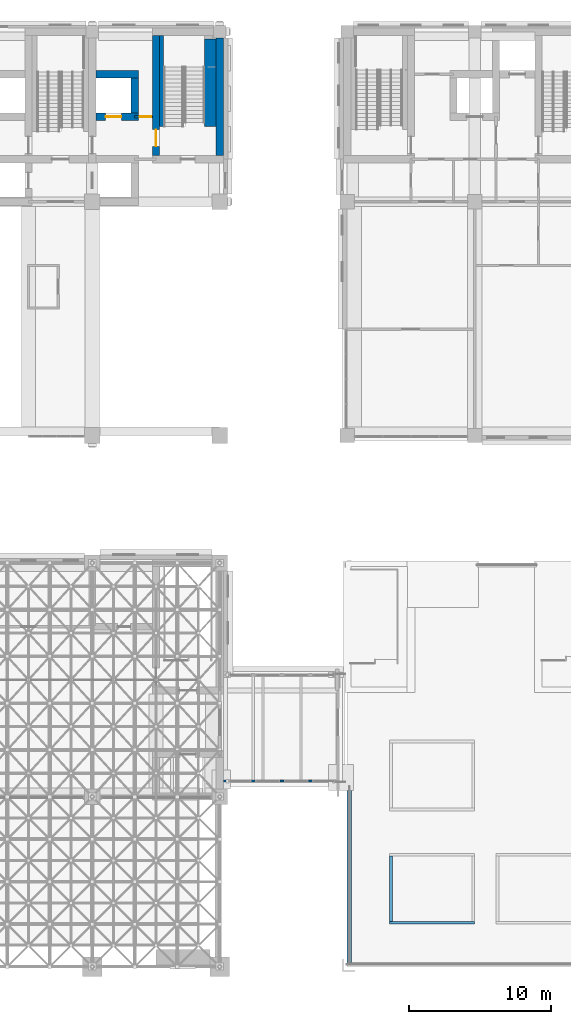
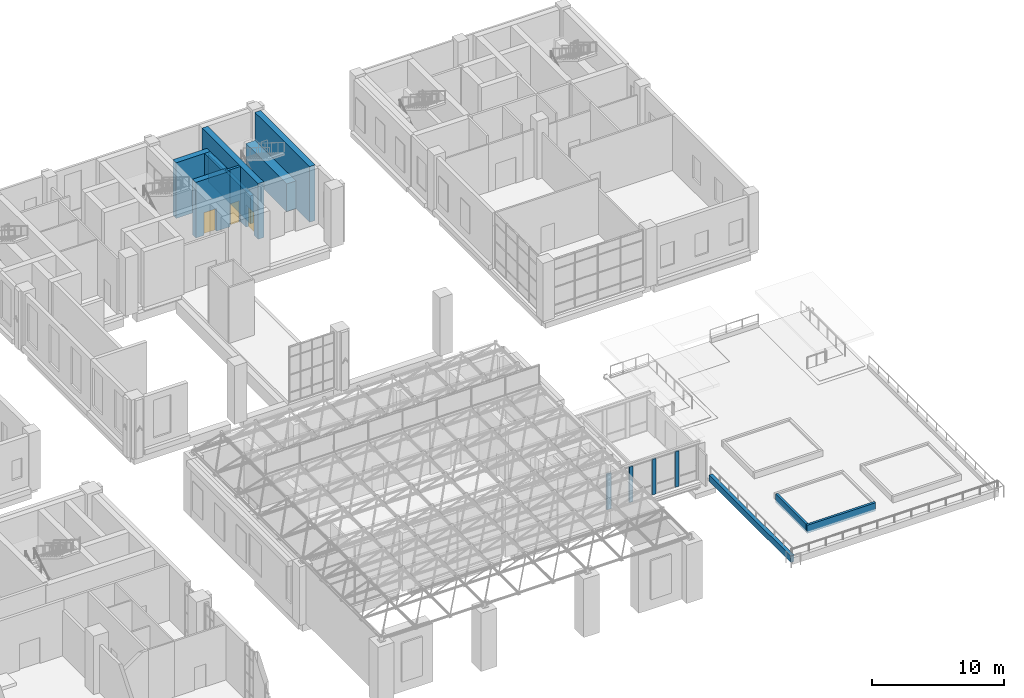
# One storey, part 32 of 53: 15 walls, 3 doors, 3 openings.
"""IFC4 building model written with IfcOpenShell, lengths in metres."""

from ifc_helpers import new_model, si_unit, direction, frame, frame_2d, origin, place, context, subcontext, project, spatial, rectangle, extrude, material, layer, layer_set, type_object, element, fill, save


model = new_model("IFC4")

# Units and contexts
model_context = context("Model", 3, precision=1e-05, world=origin(), true_north=direction((0.0, 1.0)))
body_context = subcontext(model_context, "Body", "Model", "MODEL_VIEW")
ifc_project = project(units=[si_unit("LENGTHUNIT", "METRE"), si_unit("AREAUNIT", "SQUARE_METRE"), si_unit("VOLUMEUNIT", "CUBIC_METRE"), si_unit("PLANEANGLEUNIT", "RADIAN"), si_unit("MASSUNIT", "GRAM", prefix="KILO")], contexts=[model_context])

# Site, building, storey
site_placement = place(None, origin())
site = spatial("IfcSite", under=ifc_project, at=site_placement, CompositionType="ELEMENT")
building_placement = place(site_placement, origin())
building = spatial("IfcBuilding", under=site, at=building_placement, Name="Aurelan Courthouse", CompositionType="ELEMENT")
storey_placement = place(building_placement, frame((0.0, 0.0, 12.0)))
storey = spatial("IfcBuildingStorey", under=building, at=storey_placement, Name="L02", CompositionType="ELEMENT", Elevation=12.0)

# Walls
ifc_material_1 = material(Name="Limestone cladding", Category="masonry")
ifc_layer_1 = layer(ifc_material_1, 0.300048828125)
ifc_layer_set_1 = layer_set([ifc_layer_1], Name="Limestone cladding")
wall_type_1 = type_object("IfcWallType", Name="Garden upstand 300 x 600", PredefinedType="PARAPET", material=ifc_layer_set_1)
wall_1_placement = place(storey_placement, frame((72.14990234375, 0.300048828125, -0.197998046875), z_axis=(0.0, 0.0, 1.0), x_axis=(0.0, 1.0, 0.0)))
element("IfcWall", 1, at=wall_1_placement, inside=storey, type_object=wall_type_1, Name="Garden upstand RG-PA03", PredefinedType="PARAPET", context=body_context, shape_type="SweptSolid", body=[
    extrude(rectangle(XDim=12.39990234375, YDim=0.300048828125, at=frame_2d((6.199951171875, 0.0))), origin(), (0.0, 0.0, 1.0), 0.60009765625),
])
ifc_material_2 = material(Name="Concrete C40", Category="concrete")
ifc_layer_2 = layer(ifc_material_2, 0.14990234375)
ifc_layer_set_2 = layer_set([ifc_layer_2], Name="Concrete C40")
wall_type_2 = type_object("IfcWallType", Name="Passage end pier 150 x 400 x 3300", PredefinedType="SOLIDWALL", material=ifc_layer_set_2)
wall_2_placement = place(storey_placement, frame((63.25, 13.10009765625, 0.0), z_axis=(0.0, 0.0, 1.0), x_axis=(1.0, 0.0, 0.0)))
element("IfcWall", 2, at=wall_2_placement, inside=storey, type_object=wall_type_2, Name="Passage pier BR2-P01", PredefinedType="SOLIDWALL", context=body_context, shape_type="SweptSolid", body=[
    extrude(rectangle(XDim=0.39990234375, YDim=0.14990234375, at=frame_2d((0.199951171875, 0.0))), origin(), (0.0, 0.0, 1.0), 3.300048828125),
])
ifc_layer_3 = layer(ifc_material_2, 0.14990234375)
ifc_layer_set_3 = layer_set([ifc_layer_3], Name="Concrete C40")
wall_type_3 = type_object("IfcWallType", Name="Passage pier 150 x 300 x 3300", PredefinedType="SOLIDWALL", material=ifc_layer_set_3)
for number, where, z_axis, x_axis, name in (
    (3, (65.219970703125, 13.10009765625, 0.0), (0.0, 0.0, 1.0), (1.0, 0.0, 0.0), "Passage pier BR2-P02"),
    (4, (67.239990234375, 13.10009765625, 0.0), (0.0, 0.0, 1.0), (1.0, 0.0, 0.0), "Passage pier BR2-P03"),
    (5, (69.260009765625, 13.10009765625, 0.0), (0.0, 0.0, 1.0), (1.0, 0.0, 0.0), "Passage pier BR2-P04"),
):
    element("IfcWall", number, at=place(storey_placement, frame(where, z_axis=z_axis, x_axis=x_axis)), inside=storey, type_object=wall_type_3, Name=name, PredefinedType="SOLIDWALL", context=body_context, shape_type="SweptSolid", body=[
        extrude(rectangle(XDim=0.300048828125, YDim=0.14990234375, at=frame_2d((0.14990234375, 0.0))), origin(), (0.0, 0.0, 1.0), 3.300048828125),
    ])
ifc_layer_4 = layer(ifc_material_1, 0.199951171875)
ifc_layer_set_4 = layer_set([ifc_layer_4], Name="Limestone cladding")
wall_type_4 = type_object("IfcWallType", Name="Planter wall 200 x 600", PredefinedType="SOLIDWALL", material=ifc_layer_set_4)
wall_3_placement = place(storey_placement, frame((75.0, 3.10009765625, -0.197998046875), z_axis=(0.0, 0.0, 1.0), x_axis=(1.0, 0.0, 0.0)))
element("IfcWall", 6, at=wall_3_placement, inside=storey, type_object=wall_type_4, Name="Planter wall PL-1-S", PredefinedType="SOLIDWALL", context=body_context, shape_type="SweptSolid", body=[
    extrude(rectangle(XDim=6.0, YDim=0.199951171875, at=frame_2d((3.0, 0.0))), origin(), (0.0, 0.0, 1.0), 0.758056640625),
])
wall_4_placement = place(storey_placement, frame((75.10009765625, 3.199951171875, -0.197998046875), z_axis=(0.0, 0.0, 1.0), x_axis=(0.0, 1.0, 0.0)))
element("IfcWall", 7, at=wall_4_placement, inside=storey, type_object=wall_type_4, Name="Planter wall PL-1-W", PredefinedType="SOLIDWALL", context=body_context, shape_type="SweptSolid", body=[
    extrude(rectangle(XDim=4.60009765625, YDim=0.199951171875, at=frame_2d((2.300048828125, 0.0))), origin(), (0.0, 0.0, 1.0), 0.758056640625),
])

# Wall, opening, door
ifc_material_3 = material(Name="Concrete C50", Category="concrete")
ifc_layer_5 = layer(ifc_material_3, 0.5)
ifc_layer_set_5 = layer_set([ifc_layer_5], Name="Concrete C50")
wall_type_5 = type_object("IfcWallType", Name="RC shear wall 500", PredefinedType="SHEAR", material=ifc_layer_set_5)
wall_5_placement = place(storey_placement, frame((58.5, 57.25, 0.0), z_axis=(0.0, 0.0, 1.0), x_axis=(0.0, 1.0, 0.0)))
wall_5 = element("IfcWall", 8, at=wall_5_placement, inside=storey, type_object=wall_type_5, Name="Core wall SW-L02-051", PredefinedType="SHEAR", context=body_context, shape_type="SweptSolid", body=[
    extrude(rectangle(XDim=8.5, YDim=0.5, at=frame_2d((4.25, 0.0))), origin(), (0.0, 0.0, 1.0), 5.14990234375),
])
opening_1_placement = place(wall_5_placement, frame((1.849853515625, 0.0, 0.0), z_axis=(0.0, 0.0, 1.0), x_axis=(-1.0, 0.0, 0.0)))
opening_1 = element("IfcOpeningElement", 9, at=opening_1_placement, cuts=wall_5, Name="Opening D-L02-017", PredefinedType="OPENING", context=body_context, shape_type="SweptSolid", body=[
    extrude(rectangle(XDim=1.199951171875, YDim=2.10009765625, at=frame_2d((0.60009765625, 1.050048828125))), frame((0.0, 0.260009765625, 0.0), z_axis=(0.0, -1.0, 0.0), x_axis=(1.0, 0.0, 0.0)), (0.0, 0.0, 1.0), 0.52001953125),
])
ifc_material_4 = material(Name="Steel", Category="steel")
door_type_1 = type_object("IfcDoorType", Name="Single door 1200 x 2100 FD90", OperationType="SINGLE_SWING_LEFT", PredefinedType="DOOR", material=ifc_material_4)
door_1_placement = place(opening_1_placement, origin())
door_1 = element("IfcDoor", 10, at=door_1_placement, inside=storey, type_object=door_type_1, Name="Single door D-L02-017", OperationType="SINGLE_SWING_RIGHT", OverallHeight=2.10009765625, OverallWidth=1.199951171875, PredefinedType="DOOR", context=body_context, shape_type="SweptSolid", body=[
    extrude(rectangle(XDim=1.199951171875, YDim=2.10009765625, at=frame_2d((0.60009765625, 1.050048828125))), frame((0.0, 0.02490234375, 0.0), z_axis=(0.0, -1.0, 0.0), x_axis=(1.0, 0.0, 0.0)), (0.0, 0.0, 1.0), 0.050048828125),
])
fill(opening_1, door_1)

# Wall
wall_6_placement = place(storey_placement, frame((63.0, 57.25, 0.0), z_axis=(0.0, 0.0, 1.0), x_axis=(0.0, 1.0, 0.0)))
element("IfcWall", 11, at=wall_6_placement, inside=storey, type_object=wall_type_5, Name="Core wall SW-L02-052", PredefinedType="SHEAR", context=body_context, shape_type="SweptSolid", body=[
    extrude(rectangle(XDim=8.300048828125, YDim=0.5, at=frame_2d((4.14990234375, 0.0))), origin(), (0.0, 0.0, 1.0), 5.14990234375),
])

# Wall, opening, door
wall_7_placement = place(storey_placement, frame((54.25, 60.0, 0.0), z_axis=(0.0, 0.0, 1.0), x_axis=(1.0, 0.0, 0.0)))
wall_7 = element("IfcWall", 12, at=wall_7_placement, inside=storey, type_object=wall_type_5, Name="Core wall SW-L02-060", PredefinedType="SHEAR", context=body_context, shape_type="SweptSolid", body=[
    extrude(rectangle(XDim=3.0, YDim=0.5, at=frame_2d((1.5, 0.0))), origin(), (0.0, 0.0, 1.0), 5.14990234375),
])
opening_2_placement = place(wall_7_placement, frame((0.699951171875, 0.0, 0.0)))
opening_2 = element("IfcOpeningElement", 13, at=opening_2_placement, cuts=wall_7, Name="Opening LD-V2-F1-L02", PredefinedType="OPENING", context=body_context, shape_type="SweptSolid", body=[
    extrude(rectangle(XDim=1.10009765625, YDim=2.10009765625, at=frame_2d((0.550048828125, 1.050048828125))), frame((0.0, 0.260009765625, 0.0), z_axis=(0.0, -1.0, 0.0), x_axis=(1.0, 0.0, 0.0)), (0.0, 0.0, 1.0), 0.52001953125),
])
door_type_2 = type_object("IfcDoorType", Name="Lift landing door 1100 x 2100 FD90", OperationType="SLIDING_TO_LEFT", PredefinedType="DOOR", material=ifc_material_4)
door_2_placement = place(opening_2_placement, origin())
door_2 = element("IfcDoor", 14, at=door_2_placement, inside=storey, type_object=door_type_2, Name="Lift landing door LD-V2-F1-L02", OperationType="SLIDING_TO_LEFT", OverallHeight=2.10009765625, OverallWidth=1.10009765625, PredefinedType="DOOR", context=body_context, shape_type="SweptSolid", body=[
    extrude(rectangle(XDim=1.10009765625, YDim=2.10009765625, at=frame_2d((0.550048828125, 1.050048828125))), frame((0.0, 0.02490234375, 0.0), z_axis=(0.0, -1.0, 0.0), x_axis=(1.0, 0.0, 0.0)), (0.0, 0.0, 1.0), 0.050048828125),
])
fill(opening_2, door_2)

# Walls
wall_8_placement = place(storey_placement, frame((57.0, 60.25, 0.0), z_axis=(0.0, 0.0, 1.0), x_axis=(0.0, 1.0, 0.0)))
element("IfcWall", 15, at=wall_8_placement, inside=storey, type_object=wall_type_5, Name="Core wall SW-L02-065", PredefinedType="SHEAR", context=body_context, shape_type="SweptSolid", body=[
    extrude(rectangle(XDim=2.5, YDim=0.5, at=frame_2d((1.25, 0.0))), origin(), (0.0, 0.0, 1.0), 5.14990234375),
])
wall_9_placement = place(storey_placement, frame((54.25, 63.0, 0.0), z_axis=(0.0, 0.0, 1.0), x_axis=(1.0, 0.0, 0.0)))
element("IfcWall", 16, at=wall_9_placement, inside=storey, type_object=wall_type_5, Name="Core wall SW-L02-070", PredefinedType="SHEAR", context=body_context, shape_type="SweptSolid", body=[
    extrude(rectangle(XDim=3.0, YDim=0.5, at=frame_2d((1.5, 0.0))), origin(), (0.0, 0.0, 1.0), 5.14990234375),
])

# Wall, opening, door
ifc_material_5 = material(Name="Concrete C30", Category="concrete")
ifc_layer_6 = layer(ifc_material_5, 0.199951171875)
ifc_layer_set_6 = layer_set([ifc_layer_6], Name="Concrete C30")
wall_type_6 = type_object("IfcWallType", Name="Shaft wall 200 EI 120 load-bearing", PredefinedType="SHEAR", material=ifc_layer_set_6)
wall_10_placement = place(storey_placement, frame((57.0, 60.0, 0.0), z_axis=(0.0, 0.0, 1.0), x_axis=(1.0, 0.0, 0.0)))
wall_10 = element("IfcWall", 17, at=wall_10_placement, inside=storey, type_object=wall_type_6, Name="Shaft wall L02-047", PredefinedType="SHEAR", context=body_context, shape_type="SweptSolid", body=[
    extrude(rectangle(XDim=1.25, YDim=0.199951171875, at=frame_2d((0.625, 0.0))), origin(), (0.0, 0.0, 1.0), 5.14990234375),
])
opening_3_placement = place(wall_10_placement, frame((1.150146484375, 0.0, 0.0), z_axis=(0.0, 0.0, 1.0), x_axis=(-1.0, 0.0, 0.0)))
opening_3 = element("IfcOpeningElement", 18, at=opening_3_placement, cuts=wall_10, Name="Opening D-L02-018", PredefinedType="OPENING", context=body_context, shape_type="SweptSolid", body=[
    extrude(rectangle(XDim=0.800048828125, YDim=2.0, at=frame_2d((0.39990234375, 1.0))), frame((0.0, 0.10986328125, 0.0), z_axis=(0.0, -1.0, 0.0), x_axis=(1.0, 0.0, 0.0)), (0.0, 0.0, 1.0), 0.219970703125),
])
door_type_3 = type_object("IfcDoorType", Name="Single door 800 x 2000 FD90", OperationType="SINGLE_SWING_LEFT", PredefinedType="DOOR", material=ifc_material_4)
door_3_placement = place(opening_3_placement, origin())
door_3 = element("IfcDoor", 19, at=door_3_placement, inside=storey, type_object=door_type_3, Name="Single door D-L02-018", OperationType="SINGLE_SWING_LEFT", OverallHeight=2.0, OverallWidth=0.800048828125, PredefinedType="DOOR", context=body_context, shape_type="SweptSolid", body=[
    extrude(rectangle(XDim=0.800048828125, YDim=2.0, at=frame_2d((0.39990234375, 1.0))), frame((0.0, 0.02490234375, 0.0), z_axis=(0.0, -1.0, 0.0), x_axis=(1.0, 0.0, 0.0)), (0.0, 0.0, 1.0), 0.050048828125),
])
fill(opening_3, door_3)

# Walls
ifc_layer_7 = layer(ifc_material_5, 0.2900390625)
ifc_layer_set_7 = layer_set([ifc_layer_7], Name="Concrete C30")
wall_type_7 = type_object("IfcWallType", Name="Stair well wall 290 EI 120 load-bearing", PredefinedType="SHEAR", material=ifc_layer_set_7)
wall_11_placement = place(storey_placement, frame((58.89501953125, 59.31005859375, 0.0), z_axis=(0.0, 0.0, 1.0), x_axis=(0.0, 1.0, 0.0)))
element("IfcWall", 20, at=wall_11_placement, inside=storey, type_object=wall_type_7, Name="Stair well wall ST-2E-L02 A", PredefinedType="SHEAR", context=body_context, shape_type="SweptSolid", body=[
    extrude(rectangle(XDim=6.43994140625, YDim=0.2900390625, at=frame_2d((3.219970703125, 0.0))), origin(), (0.0, 0.0, 1.0), 2.587158203125),
])
ifc_layer_8 = layer(ifc_material_5, 0.81005859375)
ifc_layer_set_8 = layer_set([ifc_layer_8], Name="Concrete C30")
wall_type_8 = type_object("IfcWallType", Name="Stair well wall 810 EI 120 load-bearing", PredefinedType="SHEAR", material=ifc_layer_set_8)
wall_12_placement = place(storey_placement, frame((62.344970703125, 59.31005859375, 0.0), z_axis=(0.0, 0.0, 1.0), x_axis=(0.0, 1.0, 0.0)))
element("IfcWall", 21, at=wall_12_placement, inside=storey, type_object=wall_type_8, Name="Stair well wall ST-2E-L02 B", PredefinedType="SHEAR", context=body_context, shape_type="SweptSolid", body=[
    extrude(rectangle(XDim=6.18994140625, YDim=0.81005859375, at=frame_2d((3.094970703125, 0.0))), origin(), (0.0, 0.0, 1.0), 2.587158203125),
])

save(model, "model.ifc")
